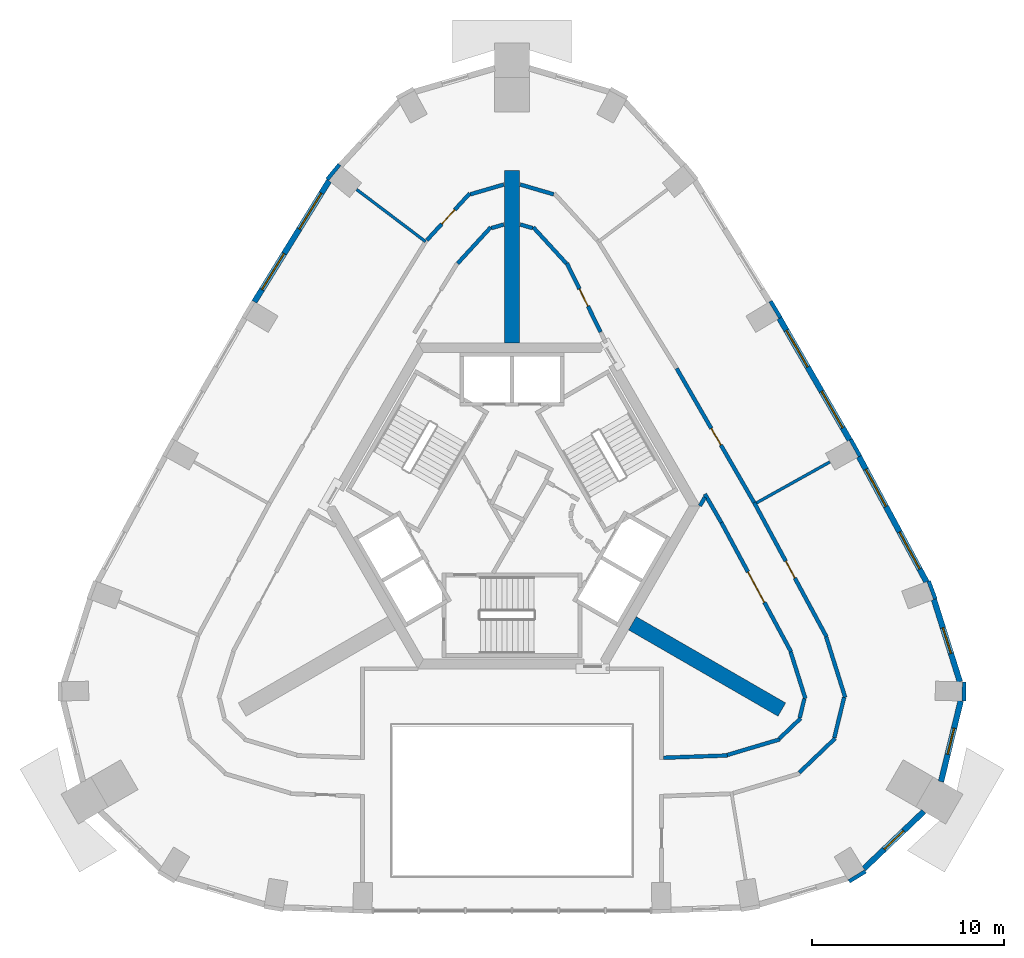
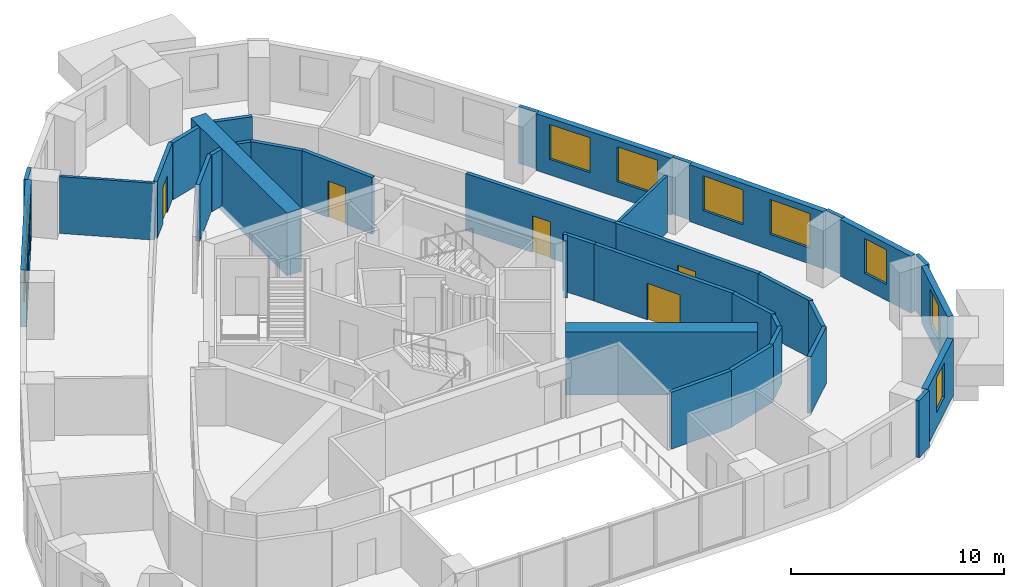
# One storey, part 6 of 9: 37 walls, 9 windows, 5 doors, 14 openings.
"""IFC4 building model written with IfcOpenShell, lengths in metres."""

from ifc_helpers import new_model, si_unit, direction, frame, frame_2d, origin, place, context, subcontext, project, spatial, rectangle, extrude, material, layer, layer_set, type_object, element, fill, save


model = new_model("IFC4")

# Units and contexts
model_context = context("Model", 3, precision=1e-05, world=origin(), true_north=direction((0.0, 1.0)))
body_context = subcontext(model_context, "Body", "Model", "MODEL_VIEW")
ifc_project = project(units=[si_unit("LENGTHUNIT", "METRE"), si_unit("AREAUNIT", "SQUARE_METRE"), si_unit("VOLUMEUNIT", "CUBIC_METRE"), si_unit("PLANEANGLEUNIT", "RADIAN"), si_unit("MASSUNIT", "GRAM", prefix="KILO")], contexts=[model_context])

# Site, building, storey
site_placement = place(None, origin())
site = spatial("IfcSite", under=ifc_project, at=site_placement, CompositionType="ELEMENT")
building_placement = place(site_placement, origin())
building = spatial("IfcBuilding", under=site, at=building_placement, Name="Entoto Arch Interchange Tower", CompositionType="ELEMENT")
storey_placement = place(building_placement, frame((0.0, 0.0, 315.199951171875)))
storey = spatial("IfcBuildingStorey", under=building, at=storey_placement, Name="L74", CompositionType="ELEMENT", Elevation=315.199951171875)

# Walls
ifc_material_1 = material(Name="Concrete C40/50", Category="concrete")
ifc_layer_1 = layer(ifc_material_1, 0.800048828125)
ifc_layer_set_1 = layer_set([ifc_layer_1], Name="Concrete C40/50")
wall_type_1 = type_object("IfcWallType", Name="Buttress wall 800 C40/50", PredefinedType="SHEAR", material=ifc_layer_set_1)
wall_1_placement = place(storey_placement, frame((6.279052734375, -3.625, -0.33984375), z_axis=(0.0, 0.0, 1.0), x_axis=(0.866017533419, -0.500013631625, 0.0)))
element("IfcWall", 1, at=wall_1_placement, inside=storey, type_object=wall_type_1, Name="Buttress wall SE L74", PredefinedType="SHEAR", context=body_context, shape_type="SweptSolid", body=[
    extrude(rectangle(XDim=8.999755859375, YDim=0.800048828125, at=frame_2d((4.5, 0.0))), origin(), (0.0, 0.0, 1.0), 3.599853515625),
])
wall_2_placement = place(storey_placement, frame((0.0, 11.0, -0.33984375), z_axis=(0.0, 0.0, 1.0), x_axis=(0.0, 1.0, 0.0)))
element("IfcWall", 2, at=wall_2_placement, inside=storey, type_object=wall_type_1, Name="Buttress wall N L74", PredefinedType="SHEAR", context=body_context, shape_type="SweptSolid", body=[
    extrude(rectangle(XDim=9.0, YDim=0.800048828125, at=frame_2d((4.5, 0.0))), origin(), (0.0, 0.0, 1.0), 3.599853515625),
])
ifc_material_2 = material(Name="Gypsum board partition on steel studs", Category="steel")
ifc_layer_2 = layer(ifc_material_2, 0.14990234375)
ifc_layer_set_2 = layer_set([ifc_layer_2], Name="Gypsum board partition on steel studs")
wall_type_2 = type_object("IfcWallType", Name="PARTITION 150", PredefinedType="PARTITIONING", material=ifc_layer_set_2)
wall_3_placement = place(storey_placement, frame((12.7509765625, 2.654052734375, 0.0), z_axis=(0.0, 0.0, 1.0), x_axis=(0.873277679945, 0.487222837837, 0.0)))
element("IfcWall", 3, at=wall_3_placement, inside=storey, type_object=wall_type_2, Name="wall:L74:p070", PredefinedType="PARTITIONING", context=body_context, shape_type="SweptSolid", body=[
    extrude(rectangle(XDim=4.3798828125, YDim=0.14990234375, at=frame_2d((2.18994140625, 0.0))), origin(), (0.0, 0.0, 1.0), 3.260009765625),
])
wall_4_placement = place(storey_placement, frame((-4.507080078125, 16.279052734375, 0.0), z_axis=(0.0, 0.0, 1.0), x_axis=(-0.797594482062, 0.603194033611, 0.0)))
element("IfcWall", 4, at=wall_4_placement, inside=storey, type_object=wall_type_2, Name="wall:L74:p072", PredefinedType="PARTITIONING", context=body_context, shape_type="SweptSolid", body=[
    extrude(rectangle(XDim=4.506103515625, YDim=0.14990234375, at=frame_2d((2.2529296875, 0.0))), origin(), (0.0, 0.0, 1.0), 3.260009765625),
])
ifc_layer_3 = layer(ifc_material_2, 0.199951171875)
ifc_layer_set_3 = layer_set([ifc_layer_3], Name="Gypsum board partition on steel studs")
wall_type_3 = type_object("IfcWallType", Name="PARTITION 200", PredefinedType="PARTITIONING", material=ifc_layer_set_3)
wall_5_placement = place(storey_placement, frame((1.10693359375, 17.028076171875, 0.0), z_axis=(0.0, 0.0, 1.0), x_axis=(0.675780767979, -0.737102675093, 0.0)))
element("IfcWall", 5, at=wall_5_placement, inside=storey, type_object=wall_type_3, Name="wall:L74:p006", PredefinedType="PARTITIONING", context=body_context, shape_type="SweptSolid", body=[
    extrude(rectangle(XDim=2.56005859375, YDim=0.199951171875, at=frame_2d((1.280029296875, 0.0))), origin(), (0.0, 0.0, 1.0), 3.260009765625),
])
wall_6_placement = place(storey_placement, frame((1.077880859375, 16.98193359375, 0.0), z_axis=(0.0, 0.0, 1.0), x_axis=(-0.959749259422, 0.280858254354, 0.0)))
element("IfcWall", 6, at=wall_6_placement, inside=storey, type_object=wall_type_3, Name="wall:L74:p007", PredefinedType="PARTITIONING", context=body_context, shape_type="SweptSolid", body=[
    extrude(rectangle(XDim=0.67724609375, YDim=0.199951171875, at=frame_2d((0.338623046875, 0.0))), origin(), (0.0, 0.0, 1.0), 3.260009765625),
])

# Wall, opening, door
wall_7_placement = place(storey_placement, frame((4.618896484375, 11.56396484375, 0.0), z_axis=(0.0, 0.0, 1.0), x_axis=(-0.439654479941, 0.898166987964, 0.0)))
wall_7 = element("IfcWall", 7, at=wall_7_placement, inside=storey, type_object=wall_type_3, Name="wall:L74:p009", PredefinedType="PARTITIONING", context=body_context, shape_type="SweptSolid", body=[
    extrude(rectangle(XDim=4.00048828125, YDim=0.199951171875, at=frame_2d((2.000244140625, 0.0))), origin(), (0.0, 0.0, 1.0), 3.260009765625),
])
opening_1_placement = place(wall_7_placement, frame((1.5, 0.0, 0.0)))
opening_1 = element("IfcOpeningElement", 8, at=opening_1_placement, cuts=wall_7, Name="Opening L74-D09", PredefinedType="OPENING", context=body_context, shape_type="SweptSolid", body=[
    extrude(rectangle(XDim=1.0, YDim=2.10009765625, at=frame_2d((0.5, 1.050048828125))), frame((0.0, 0.10986328125, 0.0), z_axis=(0.0, -1.0, 0.0), x_axis=(1.0, 0.0, 0.0)), (0.0, 0.0, 1.0), 0.219970703125),
])
ifc_material_3 = material(Name="Timber door leaf in Steel S235 frame", Category="steel")
door_type_1 = type_object("IfcDoorType", Name="DOOR DS-10 1000x2100", OperationType="SINGLE_SWING_LEFT", PredefinedType="DOOR", material=ifc_material_3)
door_1_placement = place(opening_1_placement, origin())
door_1 = element("IfcDoor", 9, at=door_1_placement, inside=storey, type_object=door_type_1, Name="door:L74:09", OperationType="SINGLE_SWING_LEFT", OverallHeight=2.10009765625, OverallWidth=1.0, PredefinedType="DOOR", context=body_context, shape_type="SweptSolid", body=[
    extrude(rectangle(XDim=1.0, YDim=2.10009765625, at=frame_2d((0.5, 1.050048828125))), frame((0.0, 0.02490234375, 0.0), z_axis=(0.0, -1.0, 0.0), x_axis=(1.0, 0.0, 0.0)), (0.0, 0.0, 1.0), 0.050048828125),
])
fill(opening_1, door_1)

# Walls
wall_8_placement = place(storey_placement, frame((-0.427978515625, 17.173095703125, 0.0), z_axis=(0.0, 0.0, 1.0), x_axis=(-0.959359762669, -0.282185835526, 0.0)))
element("IfcWall", 10, at=wall_8_placement, inside=storey, type_object=wall_type_3, Name="wall:L74:p010", PredefinedType="PARTITIONING", context=body_context, shape_type="SweptSolid", body=[
    extrude(rectangle(XDim=0.677490234375, YDim=0.199951171875, at=frame_2d((0.3388671875, 0.0))), origin(), (0.0, 0.0, 1.0), 3.260009765625),
])
wall_9_placement = place(storey_placement, frame((-1.10693359375, 17.028076171875, 0.0), z_axis=(0.0, 0.0, 1.0), x_axis=(-0.675780767979, -0.737102675093, 0.0)))
element("IfcWall", 11, at=wall_9_placement, inside=storey, type_object=wall_type_3, Name="wall:L74:p011", PredefinedType="PARTITIONING", context=body_context, shape_type="SweptSolid", body=[
    extrude(rectangle(XDim=2.56005859375, YDim=0.199951171875, at=frame_2d((1.280029296875, 0.0))), origin(), (0.0, 0.0, 1.0), 3.260009765625),
])
wall_10_placement = place(storey_placement, frame((7.89990234375, -10.636962890625, 0.0), z_axis=(0.0, 0.0, 1.0), x_axis=(0.999372900517, 0.035409119054, 0.0)))
element("IfcWall", 12, at=wall_10_placement, inside=storey, type_object=wall_type_3, Name="wall:L74:p014", PredefinedType="PARTITIONING", context=body_context, shape_type="SweptSolid", body=[
    extrude(rectangle(XDim=3.330322265625, YDim=0.199951171875, at=frame_2d((1.6650390625, 0.0))), origin(), (0.0, 0.0, 1.0), 3.260009765625),
])
wall_11_placement = place(storey_placement, frame((11.22412109375, -10.493896484375, 0.0), z_axis=(0.0, 0.0, 1.0), x_axis=(0.958417413979, 0.285370041492, 0.0)))
element("IfcWall", 13, at=wall_11_placement, inside=storey, type_object=wall_type_3, Name="wall:L74:p015", PredefinedType="PARTITIONING", context=body_context, shape_type="SweptSolid", body=[
    extrude(rectangle(XDim=2.865966796875, YDim=0.199951171875, at=frame_2d((1.43310546875, 0.0))), origin(), (0.0, 0.0, 1.0), 3.260009765625),
])
wall_12_placement = place(storey_placement, frame((13.947021484375, -9.635986328125, 0.0), z_axis=(0.0, 0.0, 1.0), x_axis=(0.723283043556, 0.690551691696, 0.0)))
element("IfcWall", 14, at=wall_12_placement, inside=storey, type_object=wall_type_3, Name="wall:L74:p016", PredefinedType="PARTITIONING", context=body_context, shape_type="SweptSolid", body=[
    extrude(rectangle(XDim=1.529052734375, YDim=0.199951171875, at=frame_2d((0.7646484375, 0.0))), origin(), (0.0, 0.0, 1.0), 3.260009765625),
])
wall_13_placement = place(storey_placement, frame((15.00390625, -8.552001953125, 0.0), z_axis=(0.0, 0.0, 1.0), x_axis=(0.237373129266, 0.971418549083, 0.0)))
element("IfcWall", 15, at=wall_13_placement, inside=storey, type_object=wall_type_3, Name="wall:L74:p017", PredefinedType="PARTITIONING", context=body_context, shape_type="SweptSolid", body=[
    extrude(rectangle(XDim=1.0244140625, YDim=0.199951171875, at=frame_2d((0.51220703125, 0.0))), origin(), (0.0, 0.0, 1.0), 3.260009765625),
])
wall_14_placement = place(storey_placement, frame((15.300048828125, -7.554931640625, 0.0), z_axis=(0.0, 0.0, 1.0), x_axis=(-0.300501248013, 0.953781421471, 0.0)))
element("IfcWall", 16, at=wall_14_placement, inside=storey, type_object=wall_type_3, Name="wall:L74:p018", PredefinedType="PARTITIONING", context=body_context, shape_type="SweptSolid", body=[
    extrude(rectangle(XDim=2.55908203125, YDim=0.199951171875, at=frame_2d((1.279541015625, 0.0))), origin(), (0.0, 0.0, 1.0), 3.260009765625),
])

# Wall, opening, door
wall_15_placement = place(storey_placement, frame((14.549072265625, -5.10693359375, 0.0), z_axis=(0.0, 0.0, 1.0), x_axis=(-0.47449538478, 0.880257990491, 0.0)))
wall_15 = element("IfcWall", 17, at=wall_15_placement, inside=storey, type_object=wall_type_3, Name="wall:L74:p019", PredefinedType="PARTITIONING", context=body_context, shape_type="SweptSolid", body=[
    extrude(rectangle(XDim=7.654541015625, YDim=0.199951171875, at=frame_2d((3.8271484375, 0.0))), origin(), (0.0, 0.0, 1.0), 3.260009765625),
])
opening_2_placement = place(wall_15_placement, frame((2.927001953125, 0.0, 0.0)))
opening_2 = element("IfcOpeningElement", 18, at=opening_2_placement, cuts=wall_15, Name="Opening L74-D08", PredefinedType="OPENING", context=body_context, shape_type="SweptSolid", body=[
    extrude(rectangle(XDim=1.800048828125, YDim=2.10009765625, at=frame_2d((0.89990234375, 1.050048828125))), frame((0.0, 0.10986328125, 0.0), z_axis=(0.0, -1.0, 0.0), x_axis=(1.0, 0.0, 0.0)), (0.0, 0.0, 1.0), 0.219970703125),
])
door_type_2 = type_object("IfcDoorType", Name="DOOR DD-18 1800x2100", OperationType="DOUBLE_DOOR_SINGLE_SWING", PredefinedType="DOOR", material=ifc_material_3)
door_2_placement = place(opening_2_placement, origin())
door_2 = element("IfcDoor", 19, at=door_2_placement, inside=storey, type_object=door_type_2, Name="door:L74:08", OperationType="DOUBLE_DOOR_SINGLE_SWING", OverallHeight=2.10009765625, OverallWidth=1.800048828125, PredefinedType="DOOR", context=body_context, shape_type="SweptSolid", body=[
    extrude(rectangle(XDim=1.800048828125, YDim=2.10009765625, at=frame_2d((0.89990234375, 1.050048828125))), frame((0.0, 0.02490234375, 0.0), z_axis=(0.0, -1.0, 0.0), x_axis=(1.0, 0.0, 0.0)), (0.0, 0.0, 1.0), 0.050048828125),
])
fill(opening_2, door_2)

# Walls
wall_16_placement = place(storey_placement, frame((10.9169921875, 1.631103515625, 0.0), z_axis=(0.0, 0.0, 1.0), x_axis=(-0.500699613169, 0.865621104972, 0.0)))
element("IfcWall", 20, at=wall_16_placement, inside=storey, type_object=wall_type_3, Name="wall:L74:p020", PredefinedType="PARTITIONING", context=body_context, shape_type="SweptSolid", body=[
    extrude(rectangle(XDim=1.71533203125, YDim=0.199951171875, at=frame_2d((0.857666015625, 0.0))), origin(), (0.0, 0.0, 1.0), 3.260009765625),
])
wall_17_placement = place(storey_placement, frame((10.05810546875, 2.943115234375, 0.0), z_axis=(0.0, 0.0, 1.0), x_axis=(-0.499352927503, -0.866398669086, 0.0)))
element("IfcWall", 21, at=wall_17_placement, inside=storey, type_object=wall_type_3, Name="wall:L74:p021", PredefinedType="PARTITIONING", context=body_context, shape_type="SweptSolid", body=[
    extrude(rectangle(XDim=0.514892578125, YDim=0.199951171875, at=frame_2d((0.25732421875, 0.0))), origin(), (0.0, 0.0, 1.0), 3.260009765625),
])

# Wall, opening, door
wall_18_placement = place(storey_placement, frame((12.6279296875, 2.6708984375, 0.0), z_axis=(0.0, 0.0, 1.0), x_axis=(0.474489967676, -0.880260910512, 0.0)))
wall_18 = element("IfcWall", 22, at=wall_18_placement, inside=storey, type_object=wall_type_3, Name="wall:L74:p031", PredefinedType="PARTITIONING", context=body_context, shape_type="SweptSolid", body=[
    extrude(rectangle(XDim=7.947509765625, YDim=0.199951171875, at=frame_2d((3.9736328125, 0.0))), origin(), (0.0, 0.0, 1.0), 3.260009765625),
])
opening_3_placement = place(wall_18_placement, frame((3.47412109375, 0.0, 0.0)))
opening_3 = element("IfcOpeningElement", 23, at=opening_3_placement, cuts=wall_18, Name="Opening L74-D02", PredefinedType="OPENING", context=body_context, shape_type="SweptSolid", body=[
    extrude(rectangle(XDim=1.0, YDim=2.10009765625, at=frame_2d((0.5, 1.050048828125))), frame((0.0, 0.10986328125, 0.0), z_axis=(0.0, -1.0, 0.0), x_axis=(1.0, 0.0, 0.0)), (0.0, 0.0, 1.0), 0.219970703125),
])
door_3_placement = place(opening_3_placement, origin())
door_3 = element("IfcDoor", 24, at=door_3_placement, inside=storey, type_object=door_type_1, Name="door:L74:02", OperationType="SINGLE_SWING_LEFT", OverallHeight=2.10009765625, OverallWidth=1.0, PredefinedType="DOOR", context=body_context, shape_type="SweptSolid", body=[
    extrude(rectangle(XDim=1.0, YDim=2.10009765625, at=frame_2d((0.5, 1.050048828125))), frame((0.0, 0.02490234375, 0.0), z_axis=(0.0, -1.0, 0.0), x_axis=(1.0, 0.0, 0.0)), (0.0, 0.0, 1.0), 0.050048828125),
])
fill(opening_3, door_3)

# Walls
wall_19_placement = place(storey_placement, frame((16.382080078125, -4.33203125, 0.0), z_axis=(0.0, 0.0, 1.0), x_axis=(0.300195088058, -0.953877827138, 0.0)))
element("IfcWall", 25, at=wall_19_placement, inside=storey, type_object=wall_type_3, Name="wall:L74:p032", PredefinedType="PARTITIONING", context=body_context, shape_type="SweptSolid", body=[
    extrude(rectangle(XDim=3.3076171875, YDim=0.199951171875, at=frame_2d((1.65380859375, 0.0))), origin(), (0.0, 0.0, 1.0), 3.260009765625),
])
wall_20_placement = place(storey_placement, frame((17.322021484375, -7.488037109375, 0.0), z_axis=(0.0, 0.0, 1.0), x_axis=(-0.23664760587, -0.971595548897, 0.0)))
element("IfcWall", 26, at=wall_20_placement, inside=storey, type_object=wall_type_3, Name="wall:L74:p033", PredefinedType="PARTITIONING", context=body_context, shape_type="SweptSolid", body=[
    extrude(rectangle(XDim=2.16748046875, YDim=0.199951171875, at=frame_2d((1.083740234375, 0.0))), origin(), (0.0, 0.0, 1.0), 3.260009765625),
])
wall_21_placement = place(storey_placement, frame((16.85693359375, -9.6220703125, 0.0), z_axis=(0.0, 0.0, 1.0), x_axis=(-0.723099256445, -0.690744138831, 0.0)))
element("IfcWall", 27, at=wall_21_placement, inside=storey, type_object=wall_type_3, Name="wall:L74:p034", PredefinedType="PARTITIONING", context=body_context, shape_type="SweptSolid", body=[
    extrude(rectangle(XDim=2.595703125, YDim=0.199951171875, at=frame_2d((1.2978515625, 0.0))), origin(), (0.0, 0.0, 1.0), 3.260009765625),
])

# Wall, opening, door
wall_22_placement = place(storey_placement, frame((8.587890625, 9.6650390625, 0.0), z_axis=(0.0, 0.0, 1.0), x_axis=(0.499946799636, -0.86605611685, 0.0)))
wall_22 = element("IfcWall", 28, at=wall_22_placement, inside=storey, type_object=wall_type_3, Name="wall:L74:p037", PredefinedType="PARTITIONING", context=body_context, shape_type="SweptSolid", body=[
    extrude(rectangle(XDim=8.22705078125, YDim=0.199951171875, at=frame_2d((4.113525390625, 0.0))), origin(), (0.0, 0.0, 1.0), 3.260009765625),
])
opening_4_placement = place(wall_22_placement, frame((3.613037109375, 0.0, 0.0)))
opening_4 = element("IfcOpeningElement", 29, at=opening_4_placement, cuts=wall_22, Name="Opening L74-D03", PredefinedType="OPENING", context=body_context, shape_type="SweptSolid", body=[
    extrude(rectangle(XDim=1.0, YDim=2.10009765625, at=frame_2d((0.5, 1.050048828125))), frame((0.0, 0.10986328125, 0.0), z_axis=(0.0, -1.0, 0.0), x_axis=(1.0, 0.0, 0.0)), (0.0, 0.0, 1.0), 0.219970703125),
])
door_4_placement = place(opening_4_placement, origin())
door_4 = element("IfcDoor", 30, at=door_4_placement, inside=storey, type_object=door_type_1, Name="door:L74:03", OperationType="SINGLE_SWING_RIGHT", OverallHeight=2.10009765625, OverallWidth=1.0, PredefinedType="DOOR", context=body_context, shape_type="SweptSolid", body=[
    extrude(rectangle(XDim=1.0, YDim=2.10009765625, at=frame_2d((0.5, 1.050048828125))), frame((0.0, 0.02490234375, 0.0), z_axis=(0.0, -1.0, 0.0), x_axis=(1.0, 0.0, 0.0)), (0.0, 0.0, 1.0), 0.050048828125),
])
fill(opening_4, door_4)

wall_23_placement = place(storey_placement, frame((-4.43896484375, 16.35302734375, 0.0), z_axis=(0.0, 0.0, 1.0), x_axis=(0.675731313907, 0.737148011871, 0.0)))
wall_23 = element("IfcWall", 31, at=wall_23_placement, inside=storey, type_object=wall_type_3, Name="wall:L74:p038", PredefinedType="PARTITIONING", context=body_context, shape_type="SweptSolid", body=[
    extrude(rectangle(XDim=3.307373046875, YDim=0.199951171875, at=frame_2d((1.65380859375, 0.0))), origin(), (0.0, 0.0, 1.0), 3.260009765625),
])
opening_5_placement = place(wall_23_placement, frame((1.154052734375, 0.0, 0.0)))
opening_5 = element("IfcOpeningElement", 32, at=opening_5_placement, cuts=wall_23, Name="Opening L74-D04", PredefinedType="OPENING", context=body_context, shape_type="SweptSolid", body=[
    extrude(rectangle(XDim=1.0, YDim=2.10009765625, at=frame_2d((0.5, 1.050048828125))), frame((0.0, 0.10986328125, 0.0), z_axis=(0.0, -1.0, 0.0), x_axis=(1.0, 0.0, 0.0)), (0.0, 0.0, 1.0), 0.219970703125),
])
door_5_placement = place(opening_5_placement, origin())
door_5 = element("IfcDoor", 33, at=door_5_placement, inside=storey, type_object=door_type_1, Name="door:L74:04", OperationType="SINGLE_SWING_LEFT", OverallHeight=2.10009765625, OverallWidth=1.0, PredefinedType="DOOR", context=body_context, shape_type="SweptSolid", body=[
    extrude(rectangle(XDim=1.0, YDim=2.10009765625, at=frame_2d((0.5, 1.050048828125))), frame((0.0, 0.02490234375, 0.0), z_axis=(0.0, -1.0, 0.0), x_axis=(1.0, 0.0, 0.0)), (0.0, 0.0, 1.0), 0.050048828125),
])
fill(opening_5, door_5)

# Walls
for number, where, z_axis, x_axis, name in (
    (34, (-2.175048828125, 18.7451171875, 0.0), (0.0, 0.0, 1.0), (0.959789423201, 0.280720970201, 0.0), "wall:L74:p039"),
    (35, (0.427978515625, 19.256103515625, 0.0), (0.0, 0.0, 1.0), (0.959789423201, -0.280720970201, 0.0), "wall:L74:p040"),
):
    element("IfcWall", number, at=place(storey_placement, frame(where, z_axis=z_axis, x_axis=x_axis)), inside=storey, type_object=wall_type_3, Name=name, PredefinedType="PARTITIONING", context=body_context, shape_type="SweptSolid", body=[
        extrude(rectangle(XDim=1.8203125, YDim=0.199951171875, at=frame_2d((0.91015625, 0.0))), origin(), (0.0, 0.0, 1.0), 3.260009765625),
    ])

# Wall, opening, window
ifc_material_4 = material(Name="Welded tuff (ignimbrite) cladding, warm buff", Category="masonry")
ifc_layer_4 = layer(ifc_material_4, 0.300048828125)
ifc_layer_set_4 = layer_set([ifc_layer_4], Name="Welded tuff (ignimbrite) cladding, warm buff")
wall_type_4 = type_object("IfcWallType", Name="STONE INFILL WALL 300", PredefinedType="STANDARD", material=ifc_layer_set_4)
wall_24_placement = place(storey_placement, frame((18.346923828125, -16.427001953125, 0.0), z_axis=(0.0, 0.0, 1.0), x_axis=(0.723113419412, 0.690729312152, 0.0)))
wall_24 = element("IfcWall", 36, at=wall_24_placement, inside=storey, type_object=wall_type_4, Name="Facade wall SE-02 L74", PredefinedType="STANDARD", context=body_context, shape_type="SweptSolid", body=[
    extrude(rectangle(XDim=4.327392578125, YDim=0.300048828125, at=frame_2d((2.16357421875, 0.0))), origin(), (0.0, 0.0, 1.0), 3.260009765625),
])
opening_6_placement = place(wall_24_placement, frame((1.464111328125, 0.0, 0.89990234375)))
opening_6 = element("IfcOpeningElement", 37, at=opening_6_placement, cuts=wall_24, Name="Opening WH-B", PredefinedType="OPENING", context=body_context, shape_type="SweptSolid", body=[
    extrude(rectangle(XDim=1.39990234375, YDim=2.0, at=frame_2d((0.699951171875, 1.0))), frame((0.0, 0.16015625, 0.0), z_axis=(0.0, -1.0, 0.0), x_axis=(1.0, 0.0, 0.0)), (0.0, 0.0, 1.0), 0.320068359375),
])
ifc_material_5 = material(Name="Clear glass, low-e double glazed", Category="glass")
window_type_1 = type_object("IfcWindowType", Name="WINDOW WH-B 1400x2000", PartitioningType="DOUBLE_PANEL_VERTICAL", PredefinedType="WINDOW", material=ifc_material_5)
window_1_placement = place(opening_6_placement, origin())
window_1 = element("IfcWindow", 38, at=window_1_placement, inside=storey, type_object=window_type_1, Name="Window WH-B SE-02 L74", OverallHeight=2.0, OverallWidth=1.39990234375, PartitioningType="SINGLE_PANEL", PredefinedType="WINDOW", context=body_context, shape_type="SweptSolid", body=[
    extrude(rectangle(XDim=1.39990234375, YDim=2.0, at=frame_2d((0.699951171875, 1.0))), frame((0.0, 0.030029296875, 0.0), z_axis=(0.0, -1.0, 0.0), x_axis=(1.0, 0.0, 0.0)), (0.0, 0.0, 1.0), 0.06005859375),
])
fill(opening_6, window_1)

wall_25_placement = place(storey_placement, frame((22.375, -11.881103515625, 0.0), z_axis=(0.0, 0.0, 1.0), x_axis=(0.236958776561, 0.971519705519, 0.0)))
wall_25 = element("IfcWall", 39, at=wall_25_placement, inside=storey, type_object=wall_type_4, Name="Facade wall SE-03 L74", PredefinedType="STANDARD", context=body_context, shape_type="SweptSolid", body=[
    extrude(rectangle(XDim=4.329345703125, YDim=0.300048828125, at=frame_2d((2.16455078125, 0.0))), origin(), (0.0, 0.0, 1.0), 3.260009765625),
])
opening_7_placement = place(wall_25_placement, frame((1.465087890625, 0.0, 0.89990234375)))
opening_7 = element("IfcOpeningElement", 40, at=opening_7_placement, cuts=wall_25, Name="Opening WH-B", PredefinedType="OPENING", context=body_context, shape_type="SweptSolid", body=[
    extrude(rectangle(XDim=1.39990234375, YDim=2.0, at=frame_2d((0.699951171875, 1.0))), frame((0.0, 0.16015625, 0.0), z_axis=(0.0, -1.0, 0.0), x_axis=(1.0, 0.0, 0.0)), (0.0, 0.0, 1.0), 0.320068359375),
])
window_2_placement = place(opening_7_placement, origin())
window_2 = element("IfcWindow", 41, at=window_2_placement, inside=storey, type_object=window_type_1, Name="Window WH-B SE-03 L74", OverallHeight=2.0, OverallWidth=1.39990234375, PartitioningType="SINGLE_PANEL", PredefinedType="WINDOW", context=body_context, shape_type="SweptSolid", body=[
    extrude(rectangle(XDim=1.39990234375, YDim=2.0, at=frame_2d((0.699951171875, 1.0))), frame((0.0, 0.030029296875, 0.0), z_axis=(0.0, -1.0, 0.0), x_axis=(1.0, 0.0, 0.0)), (0.0, 0.0, 1.0), 0.06005859375),
])
fill(opening_7, window_2)

wall_26_placement = place(storey_placement, frame((23.35791015625, -6.675048828125, 0.0), z_axis=(0.0, 0.0, 1.0), x_axis=(-0.300534385574, 0.953770980418, 0.0)))
wall_26 = element("IfcWall", 42, at=wall_26_placement, inside=storey, type_object=wall_type_4, Name="Facade wall SE-04 L74", PredefinedType="STANDARD", context=body_context, shape_type="SweptSolid", body=[
    extrude(rectangle(XDim=4.501953125, YDim=0.300048828125, at=frame_2d((2.2509765625, 0.0))), origin(), (0.0, 0.0, 1.0), 3.260009765625),
])
opening_8_placement = place(wall_26_placement, frame((1.551025390625, 0.0, 0.89990234375)))
opening_8 = element("IfcOpeningElement", 43, at=opening_8_placement, cuts=wall_26, Name="Opening WH-B", PredefinedType="OPENING", context=body_context, shape_type="SweptSolid", body=[
    extrude(rectangle(XDim=1.39990234375, YDim=2.0, at=frame_2d((0.699951171875, 1.0))), frame((0.0, 0.16015625, 0.0), z_axis=(0.0, -1.0, 0.0), x_axis=(1.0, 0.0, 0.0)), (0.0, 0.0, 1.0), 0.320068359375),
])
window_3_placement = place(opening_8_placement, origin())
window_3 = element("IfcWindow", 44, at=window_3_placement, inside=storey, type_object=window_type_1, Name="Window WH-B SE-04 L74", OverallHeight=2.0, OverallWidth=1.39990234375, PartitioningType="SINGLE_PANEL", PredefinedType="WINDOW", context=body_context, shape_type="SweptSolid", body=[
    extrude(rectangle(XDim=1.39990234375, YDim=2.0, at=frame_2d((0.699951171875, 1.0))), frame((0.0, 0.030029296875, 0.0), z_axis=(0.0, -1.0, 0.0), x_axis=(1.0, 0.0, 0.0)), (0.0, 0.0, 1.0), 0.06005859375),
])
fill(opening_8, window_3)

# Wall, openings, windows
wall_27_placement = place(storey_placement, frame((21.614990234375, -1.4619140625, 0.0), z_axis=(0.0, 0.0, 1.0), x_axis=(-0.474421773145, 0.880297666228, 0.0)))
wall_27 = element("IfcWall", 45, at=wall_27_placement, inside=storey, type_object=wall_type_4, Name="Facade wall NE-01 L74", PredefinedType="STANDARD", context=body_context, shape_type="SweptSolid", body=[
    extrude(rectangle(XDim=7.41552734375, YDim=0.300048828125, at=frame_2d((3.707763671875, 0.0))), origin(), (0.0, 0.0, 1.0), 3.260009765625),
])
opening_9_placement = place(wall_27_placement, frame((0.75390625, 0.0, 0.89990234375)))
opening_9 = element("IfcOpeningElement", 46, at=opening_9_placement, cuts=wall_27, Name="Opening WH-A", PredefinedType="OPENING", context=body_context, shape_type="SweptSolid", body=[
    extrude(rectangle(XDim=2.199951171875, YDim=2.0, at=frame_2d((1.10009765625, 1.0))), frame((0.0, 0.16015625, 0.0), z_axis=(0.0, -1.0, 0.0), x_axis=(1.0, 0.0, 0.0)), (0.0, 0.0, 1.0), 0.320068359375),
])
opening_10_placement = place(wall_27_placement, frame((4.4619140625, 0.0, 0.89990234375)))
opening_10 = element("IfcOpeningElement", 47, at=opening_10_placement, cuts=wall_27, Name="Opening WH-A", PredefinedType="OPENING", context=body_context, shape_type="SweptSolid", body=[
    extrude(rectangle(XDim=2.199951171875, YDim=2.0, at=frame_2d((1.10009765625, 1.0))), frame((0.0, 0.16015625, 0.0), z_axis=(0.0, -1.0, 0.0), x_axis=(1.0, 0.0, 0.0)), (0.0, 0.0, 1.0), 0.320068359375),
])
window_type_2 = type_object("IfcWindowType", Name="WINDOW WH-A 2200x2000", PartitioningType="DOUBLE_PANEL_VERTICAL", PredefinedType="WINDOW", material=ifc_material_5)
window_4_placement = place(opening_9_placement, origin())
window_4 = element("IfcWindow", 48, at=window_4_placement, inside=storey, type_object=window_type_2, Name="Window WH-A NE-01 L74", OverallHeight=2.0, OverallWidth=2.199951171875, PartitioningType="SINGLE_PANEL", PredefinedType="WINDOW", context=body_context, shape_type="SweptSolid", body=[
    extrude(rectangle(XDim=2.199951171875, YDim=2.0, at=frame_2d((1.10009765625, 1.0))), frame((0.0, 0.030029296875, 0.0), z_axis=(0.0, -1.0, 0.0), x_axis=(1.0, 0.0, 0.0)), (0.0, 0.0, 1.0), 0.06005859375),
])
fill(opening_9, window_4)
window_5_placement = place(opening_10_placement, origin())
window_5 = element("IfcWindow", 49, at=window_5_placement, inside=storey, type_object=window_type_2, Name="Window WH-A NE-01 L74", OverallHeight=2.0, OverallWidth=2.199951171875, PartitioningType="SINGLE_PANEL", PredefinedType="WINDOW", context=body_context, shape_type="SweptSolid", body=[
    extrude(rectangle(XDim=2.199951171875, YDim=2.0, at=frame_2d((1.10009765625, 1.0))), frame((0.0, 0.030029296875, 0.0), z_axis=(0.0, -1.0, 0.0), x_axis=(1.0, 0.0, 0.0)), (0.0, 0.0, 1.0), 0.06005859375),
])
fill(opening_10, window_5)

wall_28_placement = place(storey_placement, frame((17.610107421875, 5.93701171875, 0.0), z_axis=(0.0, 0.0, 1.0), x_axis=(-0.499923391538, 0.866069629183, 0.0)))
wall_28 = element("IfcWall", 50, at=wall_28_placement, inside=storey, type_object=wall_type_4, Name="Facade wall NE-02 L74", PredefinedType="STANDARD", context=body_context, shape_type="SweptSolid", body=[
    extrude(rectangle(XDim=7.327392578125, YDim=0.300048828125, at=frame_2d((3.66357421875, 0.0))), origin(), (0.0, 0.0, 1.0), 3.260009765625),
])
opening_11_placement = place(wall_28_placement, frame((0.73193359375, 0.0, 0.89990234375)))
opening_11 = element("IfcOpeningElement", 51, at=opening_11_placement, cuts=wall_28, Name="Opening WH-A", PredefinedType="OPENING", context=body_context, shape_type="SweptSolid", body=[
    extrude(rectangle(XDim=2.199951171875, YDim=2.0, at=frame_2d((1.10009765625, 1.0))), frame((0.0, 0.16015625, 0.0), z_axis=(0.0, -1.0, 0.0), x_axis=(1.0, 0.0, 0.0)), (0.0, 0.0, 1.0), 0.320068359375),
])
opening_12_placement = place(wall_28_placement, frame((4.39501953125, 0.0, 0.89990234375)))
opening_12 = element("IfcOpeningElement", 52, at=opening_12_placement, cuts=wall_28, Name="Opening WH-A", PredefinedType="OPENING", context=body_context, shape_type="SweptSolid", body=[
    extrude(rectangle(XDim=2.199951171875, YDim=2.0, at=frame_2d((1.10009765625, 1.0))), frame((0.0, 0.16015625, 0.0), z_axis=(0.0, -1.0, 0.0), x_axis=(1.0, 0.0, 0.0)), (0.0, 0.0, 1.0), 0.320068359375),
])
window_6_placement = place(opening_11_placement, origin())
window_6 = element("IfcWindow", 53, at=window_6_placement, inside=storey, type_object=window_type_2, Name="Window WH-A NE-02 L74", OverallHeight=2.0, OverallWidth=2.199951171875, PartitioningType="SINGLE_PANEL", PredefinedType="WINDOW", context=body_context, shape_type="SweptSolid", body=[
    extrude(rectangle(XDim=2.199951171875, YDim=2.0, at=frame_2d((1.10009765625, 1.0))), frame((0.0, 0.030029296875, 0.0), z_axis=(0.0, -1.0, 0.0), x_axis=(1.0, 0.0, 0.0)), (0.0, 0.0, 1.0), 0.06005859375),
])
fill(opening_11, window_6)
window_7_placement = place(opening_12_placement, origin())
window_7 = element("IfcWindow", 54, at=window_7_placement, inside=storey, type_object=window_type_2, Name="Window WH-A NE-02 L74", OverallHeight=2.0, OverallWidth=2.199951171875, PartitioningType="SINGLE_PANEL", PredefinedType="WINDOW", context=body_context, shape_type="SweptSolid", body=[
    extrude(rectangle(XDim=2.199951171875, YDim=2.0, at=frame_2d((1.10009765625, 1.0))), frame((0.0, 0.030029296875, 0.0), z_axis=(0.0, -1.0, 0.0), x_axis=(1.0, 0.0, 0.0)), (0.0, 0.0, 1.0), 0.06005859375),
])
fill(opening_12, window_7)

wall_29_placement = place(storey_placement, frame((-9.5419921875, 19.449951171875, 0.0), z_axis=(0.0, 0.0, 1.0), x_axis=(-0.525070792614, -0.851058554239, 0.0)))
wall_29 = element("IfcWall", 55, at=wall_29_placement, inside=storey, type_object=wall_type_4, Name="Facade wall NW-01 L74", PredefinedType="STANDARD", context=body_context, shape_type="SweptSolid", body=[
    extrude(rectangle(XDim=7.414306640625, YDim=0.300048828125, at=frame_2d((3.70703125, 0.0))), origin(), (0.0, 0.0, 1.0), 3.260009765625),
])
opening_13_placement = place(wall_29_placement, frame((0.75390625, 0.0, 0.89990234375)))
opening_13 = element("IfcOpeningElement", 56, at=opening_13_placement, cuts=wall_29, Name="Opening WH-A", PredefinedType="OPENING", context=body_context, shape_type="SweptSolid", body=[
    extrude(rectangle(XDim=2.199951171875, YDim=2.0, at=frame_2d((1.10009765625, 1.0))), frame((0.0, 0.16015625, 0.0), z_axis=(0.0, -1.0, 0.0), x_axis=(1.0, 0.0, 0.0)), (0.0, 0.0, 1.0), 0.320068359375),
])
opening_14_placement = place(wall_29_placement, frame((4.4609375, 0.0, 0.89990234375)))
opening_14 = element("IfcOpeningElement", 57, at=opening_14_placement, cuts=wall_29, Name="Opening WH-A", PredefinedType="OPENING", context=body_context, shape_type="SweptSolid", body=[
    extrude(rectangle(XDim=2.199951171875, YDim=2.0, at=frame_2d((1.10009765625, 1.0))), frame((0.0, 0.16015625, 0.0), z_axis=(0.0, -1.0, 0.0), x_axis=(1.0, 0.0, 0.0)), (0.0, 0.0, 1.0), 0.320068359375),
])
window_8_placement = place(opening_13_placement, origin())
window_8 = element("IfcWindow", 58, at=window_8_placement, inside=storey, type_object=window_type_2, Name="Window WH-A NW-01 L74", OverallHeight=2.0, OverallWidth=2.199951171875, PartitioningType="SINGLE_PANEL", PredefinedType="WINDOW", context=body_context, shape_type="SweptSolid", body=[
    extrude(rectangle(XDim=2.199951171875, YDim=2.0, at=frame_2d((1.10009765625, 1.0))), frame((0.0, 0.030029296875, 0.0), z_axis=(0.0, -1.0, 0.0), x_axis=(1.0, 0.0, 0.0)), (0.0, 0.0, 1.0), 0.06005859375),
])
fill(opening_13, window_8)
window_9_placement = place(opening_14_placement, origin())
window_9 = element("IfcWindow", 59, at=window_9_placement, inside=storey, type_object=window_type_2, Name="Window WH-A NW-01 L74", OverallHeight=2.0, OverallWidth=2.199951171875, PartitioningType="SINGLE_PANEL", PredefinedType="WINDOW", context=body_context, shape_type="SweptSolid", body=[
    extrude(rectangle(XDim=2.199951171875, YDim=2.0, at=frame_2d((1.10009765625, 1.0))), frame((0.0, 0.030029296875, 0.0), z_axis=(0.0, -1.0, 0.0), x_axis=(1.0, 0.0, 0.0)), (0.0, 0.0, 1.0), 0.06005859375),
])
fill(opening_14, window_9)

# Walls
ifc_layer_5 = layer(ifc_material_4, 0.199951171875)
ifc_layer_set_5 = layer_set([ifc_layer_5], Name="Welded tuff (ignimbrite) cladding, warm buff")
wall_type_5 = type_object("IfcWallType", Name="STONE PIER CLADDING 200", PredefinedType="STANDARD", material=ifc_layer_set_5)
wall_30_placement = place(storey_placement, frame((22.077880859375, -2.35498046875, 0.0), z_axis=(0.0, 0.0, 1.0), x_axis=(-0.350962844851, 0.936389385637, 0.0)))
element("IfcWall", 60, at=wall_30_placement, inside=storey, type_object=wall_type_5, Name="Stone pier NE01 L74", PredefinedType="STANDARD", context=body_context, shape_type="SweptSolid", body=[
    extrude(rectangle(XDim=0.99951171875, YDim=0.199951171875, at=frame_2d((0.499755859375, 0.0))), origin(), (0.0, 0.0, 1.0), 3.260009765625),
])
wall_31_placement = place(storey_placement, frame((18.14697265625, 5.092041015625, 0.0), z_axis=(0.0, 0.0, 1.0), x_axis=(-0.486036693078, 0.873938403425, 0.0)))
element("IfcWall", 61, at=wall_31_placement, inside=storey, type_object=wall_type_5, Name="Stone pier NE02 L74", PredefinedType="STANDARD", context=body_context, shape_type="SweptSolid", body=[
    extrude(rectangle(XDim=1.0, YDim=0.199951171875, at=frame_2d((0.5, 0.0))), origin(), (0.0, 0.0, 1.0), 3.260009765625),
])
wall_32_placement = place(storey_placement, frame((13.9970703125, 12.31201171875, 0.0), z_axis=(0.0, 0.0, 1.0), x_axis=(-0.514064933905, 0.857751271482, 0.0)))
element("IfcWall", 62, at=wall_32_placement, inside=storey, type_object=wall_type_5, Name="Stone pier NE03 L74", PredefinedType="STANDARD", context=body_context, shape_type="SweptSolid", body=[
    extrude(rectangle(XDim=1.000244140625, YDim=0.199951171875, at=frame_2d((0.5, 0.0))), origin(), (0.0, 0.0, 1.0), 3.260009765625),
])
for number, where, z_axis, x_axis, name in (
    (63, (-8.9990234375, 20.297119140625, 0.0), (0.0, 0.0, 1.0), (-0.6357329148, -0.77190910154, 0.0), "Stone pier NW01 L74"),
    (64, (17.5791015625, -17.0859375, 0.0), (0.0, 0.0, 1.0), (0.853679739553, 0.520798331677, 0.0), "Stone pier SE1 L74"),
):
    element("IfcWall", number, at=place(storey_placement, frame(where, z_axis=z_axis, x_axis=x_axis)), inside=storey, type_object=wall_type_5, Name=name, PredefinedType="STANDARD", context=body_context, shape_type="SweptSolid", body=[
        extrude(rectangle(XDim=1.00048828125, YDim=0.199951171875, at=frame_2d((0.500244140625, 0.0))), origin(), (0.0, 0.0, 1.0), 3.260009765625),
    ])
wall_33_placement = place(storey_placement, frame((23.56298828125, -7.678955078125, 0.0), z_axis=(0.0, 0.0, 1.0), x_axis=(0.023942303888, 0.999713341956, 0.0)))
element("IfcWall", 65, at=wall_33_placement, inside=storey, type_object=wall_type_5, Name="Stone pier SE3 L74", PredefinedType="STANDARD", context=body_context, shape_type="SweptSolid", body=[
    extrude(rectangle(XDim=0.999267578125, YDim=0.199951171875, at=frame_2d((0.49951171875, 0.0))), origin(), (0.0, 0.0, 1.0), 3.260009765625),
])

save(model, "model.ifc")
